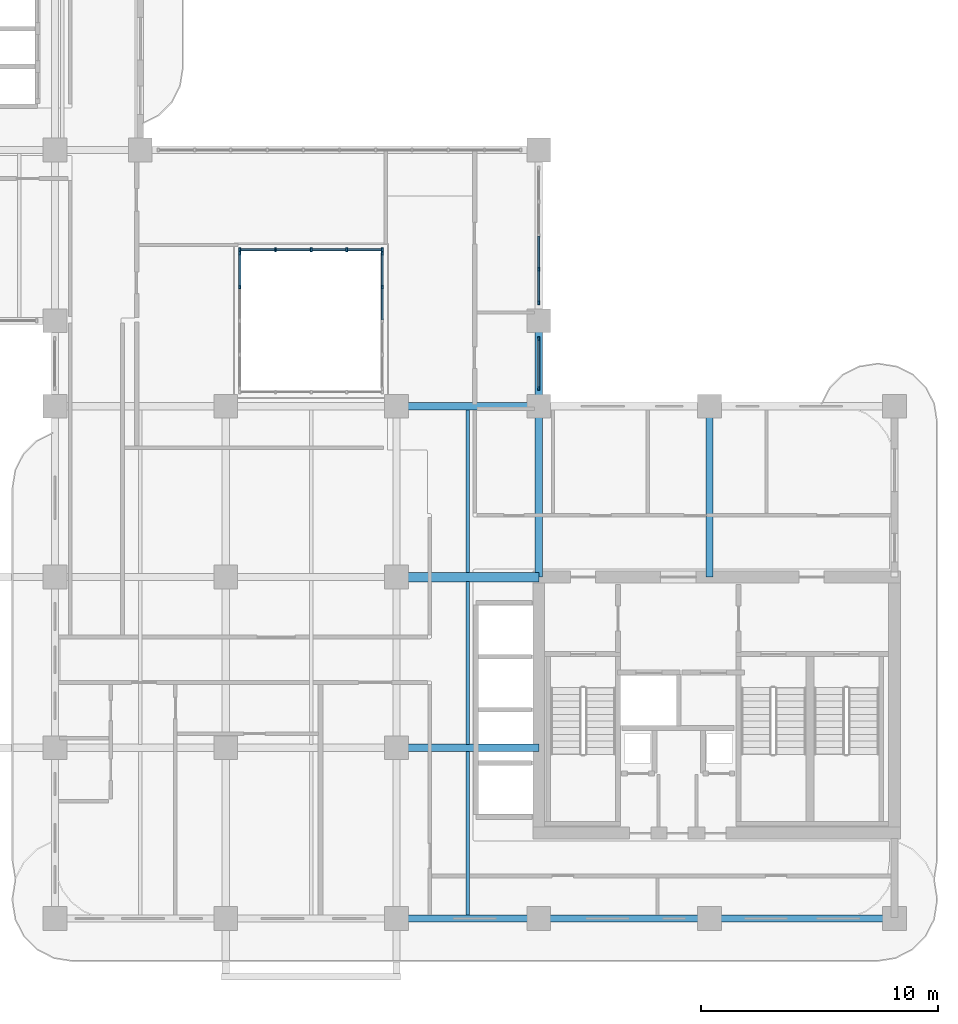
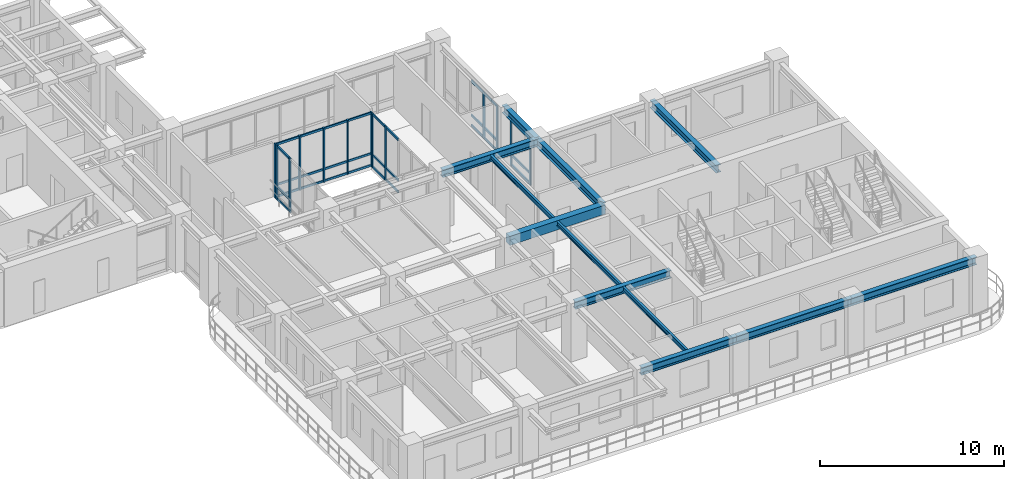
# One storey, part 3 of 19: 43 members, 12 beams, 5 elements without a shape of their own.
"""IFC4 building model written with IfcOpenShell, lengths in metres."""

from ifc_helpers import new_model, si_unit, derived_unit, direction, frame, origin, origin_2d, place, context, subcontext, project, spatial, rectangle, i_section, extrude, source, transform, mapped, material, layer, layer_set, material_profile, profile_set, type_object, type_shapes, element, aggregate, save


model = new_model("IFC4")

# Units and contexts
model_context = context("Model", 3, precision=1e-05, world=origin(), true_north=direction((0.0, 1.0)))
body_context = subcontext(model_context, "Body", "Model", "MODEL_VIEW")
ifc_project = project(units=[si_unit("LENGTHUNIT", "METRE"), si_unit("AREAUNIT", "SQUARE_METRE"), si_unit("VOLUMEUNIT", "CUBIC_METRE"), si_unit("PLANEANGLEUNIT", "RADIAN"), si_unit("MASSUNIT", "GRAM", prefix="KILO"), si_unit("THERMODYNAMICTEMPERATUREUNIT", "KELVIN"), si_unit("POWERUNIT", "WATT"), derived_unit("THERMALTRANSMITTANCEUNIT", [(si_unit("POWERUNIT", "WATT"), 1), (si_unit("AREAUNIT", "SQUARE_METRE"), -1), (si_unit("THERMODYNAMICTEMPERATUREUNIT", "KELVIN"), -1)])], contexts=[model_context])

# Site, building, storey
site_placement = place(None, origin())
site = spatial("IfcSite", under=ifc_project, at=site_placement, CompositionType="ELEMENT")
building_placement = place(site_placement, origin())
building = spatial("IfcBuilding", under=site, at=building_placement, Name="Zahravan Archway Hotel and Residences", CompositionType="ELEMENT")
storey_placement = place(building_placement, frame((0.0, 0.0, 158.0)))
storey = spatial("IfcBuildingStorey", under=building, at=storey_placement, Name="L39", CompositionType="ELEMENT", Elevation=158.0)

# Beams
ifc_material_1 = material(Name="Concrete C60/75", Category="concrete")
ifc_material_profile_1 = material_profile(ifc_material_1, rectangle(XDim=0.39990234375, YDim=0.60009765625, at=origin_2d()), Name="RC-LNT-400x600", Category="concrete")
ifc_profile_set_1 = profile_set([ifc_material_profile_1], Name="Concrete C60/75")
beam_type_1 = type_object("IfcBeamType", Name="LNT-RC-400x600", PredefinedType="LINTEL", material=ifc_profile_set_1)
shared_shape_1 = source(origin(), body_context, "Body", "SweptSolid", [
    extrude(rectangle(XDim=0.39990234375, YDim=0.60009765625, at=origin_2d()), origin(), (0.0, 0.0, 1.0), 6.0),
])
type_shapes(beam_type_1, [shared_shape_1])
beam_1_placement = place(storey_placement, frame((28.800048828125, 14.39990234375, 3.300048828125), z_axis=(1.0, 0.0, 0.0), x_axis=(0.0, 1.0, 0.0)))
element("IfcBeam", 1, at=beam_1_placement, inside=storey, type_object=beam_type_1, Name="L39 Core A Coupling Lintel Beam", PredefinedType="LINTEL", context=body_context, shape_type="MappedRepresentation", body=[
    mapped(shared_shape_1, transform((0.0, 0.0, 0.0), scale=1.0)),
])
ifc_material_2 = material(Name="Structural Steel S355JR", Category="steel")
ifc_material_profile_2 = material_profile(ifc_material_2, i_section(OverallWidth=0.300048828125, OverallDepth=0.5, WebThickness=0.014404296875, FlangeThickness=0.028076171875, FilletRadius=0.027099609375, at=origin_2d()), Name="HEB 500", Category="steel")
ifc_profile_set_2 = profile_set([ifc_material_profile_2], Name="Structural Steel S355JR")
beam_type_2 = type_object("IfcBeamType", Name="BM-PRI-HEB500", PredefinedType="BEAM", material=ifc_profile_set_2)
shared_shape_2 = source(origin(), body_context, "Body", "SweptSolid", [
    extrude(i_section(OverallWidth=0.300048828125, OverallDepth=0.5, WebThickness=0.014404296875, FlangeThickness=0.028076171875, FilletRadius=0.027099609375, at=origin_2d()), origin(), (0.0, 0.0, 1.0), 7.2001953125),
])
type_shapes(beam_type_2, [shared_shape_2])
for number, where, z_axis, x_axis, name in (
    (2, (34.800048828125, 14.39990234375, 3.35009765625), (0.0, 1.0, 0.0), (-1.0, 0.0, 0.0), "L39 Primary Girder NS-41"),
    (3, (42.0, 14.39990234375, 3.35009765625), (0.0, 1.0, 0.0), (-1.0, 0.0, 0.0), "L39 Primary Girder NS-44"),
):
    element("IfcBeam", number, at=place(storey_placement, frame(where, z_axis=z_axis, x_axis=x_axis)), inside=storey, type_object=beam_type_2, Name=name, PredefinedType="BEAM", context=body_context, shape_type="MappedRepresentation", body=[
        mapped(shared_shape_2, transform((0.0, 0.0, 0.0), scale=1.0)),
    ])
shared_shape_3 = source(origin(), body_context, "Body", "SweptSolid", [
    extrude(i_section(OverallWidth=0.300048828125, OverallDepth=0.5, WebThickness=0.014404296875, FlangeThickness=0.028076171875, FilletRadius=0.027099609375, at=origin_2d()), origin(), (0.0, 0.0, 1.0), 7.199951171875),
])
beam_2_placement = place(storey_placement, frame((34.800048828125, 0.0, 3.35009765625), z_axis=(1.0, 0.0, 0.0), x_axis=(0.0, 1.0, 0.0)))
element("IfcBeam", 4, at=beam_2_placement, inside=storey, type_object=beam_type_2, Name="L39 Primary Girder EW-04", PredefinedType="BEAM", context=body_context, shape_type="MappedRepresentation", body=[
    mapped(shared_shape_3, transform((0.0, 0.0, 0.0), scale=1.0)),
])
shared_shape_4 = source(origin(), body_context, "Body", "SweptSolid", [
    extrude(i_section(OverallWidth=0.300048828125, OverallDepth=0.5, WebThickness=0.014404296875, FlangeThickness=0.028076171875, FilletRadius=0.027099609375, at=origin_2d()), origin(), (0.0, 0.0, 1.0), 6.0),
])
for number, where, z_axis, x_axis, name in (
    (5, (28.800048828125, 0.0, 3.35009765625), (1.0, 0.0, 0.0), (0.0, 1.0, 0.0), "L39 Primary Girder EW-03"),
    (6, (28.800048828125, 7.199951171875, 3.35009765625), (1.0, 0.0, 0.0), (0.0, 1.0, 0.0), "L39 Primary Girder EW-08"),
    (7, (28.800048828125, 21.60009765625, 3.35009765625), (1.0, 0.0, 0.0), (0.0, 1.0, 0.0), "L39 Primary Girder EW-13"),
):
    element("IfcBeam", number, at=place(storey_placement, frame(where, z_axis=z_axis, x_axis=x_axis)), inside=storey, type_object=beam_type_2, Name=name, PredefinedType="BEAM", context=body_context, shape_type="MappedRepresentation", body=[
        mapped(shared_shape_4, transform((0.0, 0.0, 0.0), scale=1.0)),
    ])
shared_shape_5 = source(origin(), body_context, "Body", "SweptSolid", [
    extrude(i_section(OverallWidth=0.300048828125, OverallDepth=0.5, WebThickness=0.014404296875, FlangeThickness=0.028076171875, FilletRadius=0.027099609375, at=origin_2d()), origin(), (0.0, 0.0, 1.0), 7.800048828125),
])
beam_3_placement = place(storey_placement, frame((42.0, 0.0, 3.35009765625), z_axis=(1.0, 0.0, 0.0), x_axis=(0.0, 1.0, 0.0)))
element("IfcBeam", 8, at=beam_3_placement, inside=storey, type_object=beam_type_2, Name="L39 Primary Girder EW-05", PredefinedType="BEAM", context=body_context, shape_type="MappedRepresentation", body=[
    mapped(shared_shape_5, transform((0.0, 0.0, 0.0), scale=1.0)),
])
shared_shape_6 = source(origin(), body_context, "Body", "SweptSolid", [
    extrude(i_section(OverallWidth=0.300048828125, OverallDepth=0.5, WebThickness=0.014404296875, FlangeThickness=0.028076171875, FilletRadius=0.027099609375, at=origin_2d()), origin(), (0.0, 0.0, 1.0), 3.599853515625),
])
beam_4_placement = place(storey_placement, frame((34.800048828125, 21.60009765625, 3.35009765625), z_axis=(0.0, 1.0, 0.0), x_axis=(-1.0, 0.0, 0.0)))
element("IfcBeam", 9, at=beam_4_placement, inside=storey, type_object=beam_type_2, Name="L39 Primary Girder NS-42", PredefinedType="BEAM", context=body_context, shape_type="MappedRepresentation", body=[
    mapped(shared_shape_6, transform((0.0, 0.0, 0.0), scale=1.0)),
])
ifc_material_profile_3 = material_profile(ifc_material_2, i_section(OverallWidth=0.14990234375, OverallDepth=0.300048828125, WebThickness=0.007080078125, FlangeThickness=0.0107421875, FilletRadius=0.014892578125, at=origin_2d()), Name="IPE 300", Category="steel")
ifc_profile_set_3 = profile_set([ifc_material_profile_3], Name="Structural Steel S355JR")
beam_type_3 = type_object("IfcBeamType", Name="BM-JST-IPE300", PredefinedType="JOIST", material=ifc_profile_set_3)
shared_shape_7 = source(origin(), body_context, "Body", "SweptSolid", [
    extrude(i_section(OverallWidth=0.14990234375, OverallDepth=0.300048828125, WebThickness=0.007080078125, FlangeThickness=0.0107421875, FilletRadius=0.014892578125, at=origin_2d()), origin(), (0.0, 0.0, 1.0), 6.904052734375),
])
type_shapes(beam_type_3, [shared_shape_7])
beam_5_placement = place(storey_placement, frame((31.800048828125, 0.14794921875, 3.449951171875), z_axis=(0.0, 1.0, 0.0), x_axis=(-1.0, 0.0, 0.0)))
element("IfcBeam", 10, at=beam_5_placement, inside=storey, type_object=beam_type_3, Name="L39 Composite Floor Joist 03", PredefinedType="JOIST", context=body_context, shape_type="MappedRepresentation", body=[
    mapped(shared_shape_7, transform((0.0, 0.0, 0.0), scale=1.0)),
])
shared_shape_8 = source(origin(), body_context, "Body", "SweptSolid", [
    extrude(i_section(OverallWidth=0.14990234375, OverallDepth=0.300048828125, WebThickness=0.007080078125, FlangeThickness=0.0107421875, FilletRadius=0.014892578125, at=origin_2d()), origin(), (0.0, 0.0, 1.0), 6.85400390625),
])
for number, where, z_axis, x_axis, name in (
    (11, (31.800048828125, 7.347900390625, 3.449951171875), (0.0, 1.0, 0.0), (-1.0, 0.0, 0.0), "L39 Composite Floor Joist 06"),
    (12, (31.800048828125, 14.597900390625, 3.449951171875), (0.0, 1.0, 0.0), (-1.0, 0.0, 0.0), "L39 Composite Floor Joist 07"),
):
    element("IfcBeam", number, at=place(storey_placement, frame(where, z_axis=z_axis, x_axis=x_axis)), inside=storey, type_object=beam_type_3, Name=name, PredefinedType="JOIST", context=body_context, shape_type="MappedRepresentation", body=[
        mapped(shared_shape_8, transform((0.0, 0.0, 0.0), scale=1.0)),
    ])

# Curtain wall, members
ifc_material_3 = material(Name="Bronze-Anodized Unitised Aluminium & Low-E Glass", Category="aluminium")
ifc_layer = layer(ifc_material_3, 0.179931640625, Name="Bronze-Anodized Unitised Aluminium & Low-E Glass", Category="aluminium")
ifc_layer_set = layer_set([ifc_layer], Name="Bronze-Anodized Unitised Aluminium & Low-E Glass")
curtain_wall_type = type_object("IfcCurtainWallType", Name="CW-ATR-GLAZ", PredefinedType="NOTDEFINED", material=ifc_layer_set)
curtain_wall_1_placement = place(storey_placement, origin())
curtain_wall_1 = element("IfcCurtainWall", 13, at=curtain_wall_1_placement, inside=storey, type_object=curtain_wall_type, Name="L39 Curtain Wall CW-L39-HNG-E-2", PredefinedType="NOTDEFINED")
ifc_material_4 = material(Name="Bronze-Anodized Extruded Aluminium", Category="aluminium")
ifc_material_profile_4 = material_profile(ifc_material_4, rectangle(XDim=0.080078125, YDim=0.139892578125, at=origin_2d()), Name="TRN 80x140", Category="aluminium")
ifc_profile_set_4 = profile_set([ifc_material_profile_4], Name="Bronze-Anodized Extruded Aluminium")
member_type_1 = type_object("IfcMemberType", Name="CWM-TRN-140", PredefinedType="USERDEFINED", material=ifc_profile_set_4)
shared_shape_9 = source(origin(), body_context, "Body", "SweptSolid", [
    extrude(rectangle(XDim=0.080078125, YDim=0.139892578125, at=origin_2d()), origin(), (0.0, 0.0, 1.0), 1.340087890625),
])
member_1_placement = place(storey_placement, frame((34.800048828125, 26.0, 0.070068359375), z_axis=(0.0, 1.0, 0.0), x_axis=(-1.0, 0.0, 0.0)))
member_1 = element("IfcMember", 14, at=member_1_placement, type_object=member_type_1, Name="CW-L39-HNG-E-2 Transom 0-1", ObjectType="TRANSOM", PredefinedType="USERDEFINED", context=body_context, shape_type="MappedRepresentation", body=[
    mapped(shared_shape_9, transform((0.0, 0.0, 0.0), scale=1.0)),
])
member_2_placement = place(storey_placement, frame((34.800048828125, 26.0, 0.740478515625), z_axis=(0.0, 1.0, 0.0), x_axis=(-1.0, 0.0, 0.0)))
member_2 = element("IfcMember", 15, at=member_2_placement, type_object=member_type_1, Name="CW-L39-HNG-E-2 Transom 0-2", ObjectType="TRANSOM", PredefinedType="USERDEFINED", context=body_context, shape_type="MappedRepresentation", body=[
    mapped(shared_shape_9, transform((0.0, 0.0, 0.0), scale=1.0)),
])
member_3_placement = place(storey_placement, frame((34.800048828125, 26.0, 3.014892578125), z_axis=(0.0, 1.0, 0.0), x_axis=(-1.0, 0.0, 0.0)))
member_3 = element("IfcMember", 16, at=member_3_placement, type_object=member_type_1, Name="CW-L39-HNG-E-2 Transom 0-3", ObjectType="TRANSOM", PredefinedType="USERDEFINED", context=body_context, shape_type="MappedRepresentation", body=[
    mapped(shared_shape_9, transform((0.0, 0.0, 0.0), scale=1.0)),
])
member_4_placement = place(storey_placement, frame((34.800048828125, 27.419921875, 0.070068359375), z_axis=(0.0, 1.0, 0.0), x_axis=(-1.0, 0.0, 0.0)))
member_4 = element("IfcMember", 17, at=member_4_placement, type_object=member_type_1, Name="CW-L39-HNG-E-2 Transom 1-1", ObjectType="TRANSOM", PredefinedType="USERDEFINED", context=body_context, shape_type="MappedRepresentation", body=[
    mapped(shared_shape_9, transform((0.0, 0.0, 0.0), scale=1.0)),
])
member_5_placement = place(storey_placement, frame((34.800048828125, 27.419921875, 0.740478515625), z_axis=(0.0, 1.0, 0.0), x_axis=(-1.0, 0.0, 0.0)))
member_5 = element("IfcMember", 18, at=member_5_placement, type_object=member_type_1, Name="CW-L39-HNG-E-2 Transom 1-2", ObjectType="TRANSOM", PredefinedType="USERDEFINED", context=body_context, shape_type="MappedRepresentation", body=[
    mapped(shared_shape_9, transform((0.0, 0.0, 0.0), scale=1.0)),
])
member_6_placement = place(storey_placement, frame((34.800048828125, 27.419921875, 3.014892578125), z_axis=(0.0, 1.0, 0.0), x_axis=(-1.0, 0.0, 0.0)))
member_6 = element("IfcMember", 19, at=member_6_placement, type_object=member_type_1, Name="CW-L39-HNG-E-2 Transom 1-3", ObjectType="TRANSOM", PredefinedType="USERDEFINED", context=body_context, shape_type="MappedRepresentation", body=[
    mapped(shared_shape_9, transform((0.0, 0.0, 0.0), scale=1.0)),
])

curtain_wall_2_placement = place(storey_placement, origin())
curtain_wall_2 = element("IfcCurtainWall", 20, at=curtain_wall_2_placement, inside=storey, type_object=curtain_wall_type, Name="L39 Curtain Wall CW-L39-HNG-E-1", PredefinedType="NOTDEFINED")
shared_shape_10 = source(origin(), body_context, "Body", "SweptSolid", [
    extrude(rectangle(XDim=0.080078125, YDim=0.139892578125, at=origin_2d()), origin(), (0.0, 0.0, 1.0), 2.0),
])
member_7_placement = place(storey_placement, frame((34.800048828125, 22.39990234375, 0.070068359375), z_axis=(0.0, 1.0, 0.0), x_axis=(-1.0, 0.0, 0.0)))
member_7 = element("IfcMember", 21, at=member_7_placement, type_object=member_type_1, Name="CW-L39-HNG-E-1 Transom 0-1", ObjectType="TRANSOM", PredefinedType="USERDEFINED", context=body_context, shape_type="MappedRepresentation", body=[
    mapped(shared_shape_10, transform((0.0, 0.0, 0.0), scale=1.0)),
])
member_8_placement = place(storey_placement, frame((34.800048828125, 22.39990234375, 0.740478515625), z_axis=(0.0, 1.0, 0.0), x_axis=(-1.0, 0.0, 0.0)))
member_8 = element("IfcMember", 22, at=member_8_placement, type_object=member_type_1, Name="CW-L39-HNG-E-1 Transom 0-2", ObjectType="TRANSOM", PredefinedType="USERDEFINED", context=body_context, shape_type="MappedRepresentation", body=[
    mapped(shared_shape_10, transform((0.0, 0.0, 0.0), scale=1.0)),
])
member_9_placement = place(storey_placement, frame((34.800048828125, 22.39990234375, 3.014892578125), z_axis=(0.0, 1.0, 0.0), x_axis=(-1.0, 0.0, 0.0)))
member_9 = element("IfcMember", 23, at=member_9_placement, type_object=member_type_1, Name="CW-L39-HNG-E-1 Transom 0-3", ObjectType="TRANSOM", PredefinedType="USERDEFINED", context=body_context, shape_type="MappedRepresentation", body=[
    mapped(shared_shape_10, transform((0.0, 0.0, 0.0), scale=1.0)),
])

curtain_wall_3_placement = place(storey_placement, origin())
curtain_wall_3 = element("IfcCurtainWall", 24, at=curtain_wall_3_placement, inside=storey, type_object=curtain_wall_type, Name="L39 Curtain Wall CW-ATR-L39-N-1", PredefinedType="NOTDEFINED")
shared_shape_11 = source(origin(), body_context, "Body", "SweptSolid", [
    extrude(rectangle(XDim=0.080078125, YDim=0.139892578125, at=origin_2d()), origin(), (0.0, 0.0, 1.0), 1.419921875),
])
member_10_placement = place(storey_placement, frame((22.239990234375, 28.199951171875, 0.070068359375), z_axis=(1.0, 0.0, 0.0), x_axis=(0.0, 1.0, 0.0)))
member_10 = element("IfcMember", 25, at=member_10_placement, type_object=member_type_1, Name="CW-ATR-L39-N-1 Transom 0-1", ObjectType="TRANSOM", PredefinedType="USERDEFINED", context=body_context, shape_type="MappedRepresentation", body=[
    mapped(shared_shape_11, transform((0.0, 0.0, 0.0), scale=1.0)),
])
member_11_placement = place(storey_placement, frame((22.239990234375, 28.199951171875, 0.85009765625), z_axis=(1.0, 0.0, 0.0), x_axis=(0.0, 1.0, 0.0)))
member_11 = element("IfcMember", 26, at=member_11_placement, type_object=member_type_1, Name="CW-ATR-L39-N-1 Transom 0-2", ObjectType="TRANSOM", PredefinedType="USERDEFINED", context=body_context, shape_type="MappedRepresentation", body=[
    mapped(shared_shape_11, transform((0.0, 0.0, 0.0), scale=1.0)),
])
member_12_placement = place(storey_placement, frame((22.239990234375, 28.199951171875, 3.530029296875), z_axis=(1.0, 0.0, 0.0), x_axis=(0.0, 1.0, 0.0)))
member_12 = element("IfcMember", 27, at=member_12_placement, type_object=member_type_1, Name="CW-ATR-L39-N-1 Transom 0-3", ObjectType="TRANSOM", PredefinedType="USERDEFINED", context=body_context, shape_type="MappedRepresentation", body=[
    mapped(shared_shape_11, transform((0.0, 0.0, 0.0), scale=1.0)),
])
member_13_placement = place(storey_placement, frame((23.739990234375, 28.199951171875, 0.070068359375), z_axis=(1.0, 0.0, 0.0), x_axis=(0.0, 1.0, 0.0)))
member_13 = element("IfcMember", 28, at=member_13_placement, type_object=member_type_1, Name="CW-ATR-L39-N-1 Transom 1-1", ObjectType="TRANSOM", PredefinedType="USERDEFINED", context=body_context, shape_type="MappedRepresentation", body=[
    mapped(shared_shape_11, transform((0.0, 0.0, 0.0), scale=1.0)),
])
member_14_placement = place(storey_placement, frame((23.739990234375, 28.199951171875, 0.85009765625), z_axis=(1.0, 0.0, 0.0), x_axis=(0.0, 1.0, 0.0)))
member_14 = element("IfcMember", 29, at=member_14_placement, type_object=member_type_1, Name="CW-ATR-L39-N-1 Transom 1-2", ObjectType="TRANSOM", PredefinedType="USERDEFINED", context=body_context, shape_type="MappedRepresentation", body=[
    mapped(shared_shape_11, transform((0.0, 0.0, 0.0), scale=1.0)),
])
member_15_placement = place(storey_placement, frame((23.739990234375, 28.199951171875, 3.530029296875), z_axis=(1.0, 0.0, 0.0), x_axis=(0.0, 1.0, 0.0)))
member_15 = element("IfcMember", 30, at=member_15_placement, type_object=member_type_1, Name="CW-ATR-L39-N-1 Transom 1-3", ObjectType="TRANSOM", PredefinedType="USERDEFINED", context=body_context, shape_type="MappedRepresentation", body=[
    mapped(shared_shape_11, transform((0.0, 0.0, 0.0), scale=1.0)),
])
member_16_placement = place(storey_placement, frame((25.239990234375, 28.199951171875, 0.070068359375), z_axis=(1.0, 0.0, 0.0), x_axis=(0.0, 1.0, 0.0)))
member_16 = element("IfcMember", 31, at=member_16_placement, type_object=member_type_1, Name="CW-ATR-L39-N-1 Transom 2-1", ObjectType="TRANSOM", PredefinedType="USERDEFINED", context=body_context, shape_type="MappedRepresentation", body=[
    mapped(shared_shape_11, transform((0.0, 0.0, 0.0), scale=1.0)),
])
member_17_placement = place(storey_placement, frame((25.239990234375, 28.199951171875, 0.85009765625), z_axis=(1.0, 0.0, 0.0), x_axis=(0.0, 1.0, 0.0)))
member_17 = element("IfcMember", 32, at=member_17_placement, type_object=member_type_1, Name="CW-ATR-L39-N-1 Transom 2-2", ObjectType="TRANSOM", PredefinedType="USERDEFINED", context=body_context, shape_type="MappedRepresentation", body=[
    mapped(shared_shape_11, transform((0.0, 0.0, 0.0), scale=1.0)),
])
member_18_placement = place(storey_placement, frame((25.239990234375, 28.199951171875, 3.530029296875), z_axis=(1.0, 0.0, 0.0), x_axis=(0.0, 1.0, 0.0)))
member_18 = element("IfcMember", 33, at=member_18_placement, type_object=member_type_1, Name="CW-ATR-L39-N-1 Transom 2-3", ObjectType="TRANSOM", PredefinedType="USERDEFINED", context=body_context, shape_type="MappedRepresentation", body=[
    mapped(shared_shape_11, transform((0.0, 0.0, 0.0), scale=1.0)),
])
member_19_placement = place(storey_placement, frame((26.739990234375, 28.199951171875, 0.070068359375), z_axis=(1.0, 0.0, 0.0), x_axis=(0.0, 1.0, 0.0)))
member_19 = element("IfcMember", 34, at=member_19_placement, type_object=member_type_1, Name="CW-ATR-L39-N-1 Transom 3-1", ObjectType="TRANSOM", PredefinedType="USERDEFINED", context=body_context, shape_type="MappedRepresentation", body=[
    mapped(shared_shape_11, transform((0.0, 0.0, 0.0), scale=1.0)),
])
member_20_placement = place(storey_placement, frame((26.739990234375, 28.199951171875, 0.85009765625), z_axis=(1.0, 0.0, 0.0), x_axis=(0.0, 1.0, 0.0)))
member_20 = element("IfcMember", 35, at=member_20_placement, type_object=member_type_1, Name="CW-ATR-L39-N-1 Transom 3-2", ObjectType="TRANSOM", PredefinedType="USERDEFINED", context=body_context, shape_type="MappedRepresentation", body=[
    mapped(shared_shape_11, transform((0.0, 0.0, 0.0), scale=1.0)),
])
member_21_placement = place(storey_placement, frame((26.739990234375, 28.199951171875, 3.530029296875), z_axis=(1.0, 0.0, 0.0), x_axis=(0.0, 1.0, 0.0)))
member_21 = element("IfcMember", 36, at=member_21_placement, type_object=member_type_1, Name="CW-ATR-L39-N-1 Transom 3-3", ObjectType="TRANSOM", PredefinedType="USERDEFINED", context=body_context, shape_type="MappedRepresentation", body=[
    mapped(shared_shape_11, transform((0.0, 0.0, 0.0), scale=1.0)),
])

curtain_wall_4_placement = place(storey_placement, origin())
curtain_wall_4 = element("IfcCurtainWall", 37, at=curtain_wall_4_placement, inside=storey, type_object=curtain_wall_type, Name="L39 Curtain Wall CW-ATR-L39-W-1", PredefinedType="NOTDEFINED")
shared_shape_12 = source(origin(), body_context, "Body", "SweptSolid", [
    extrude(rectangle(XDim=0.080078125, YDim=0.139892578125, at=origin_2d()), origin(), (0.0, 0.0, 1.0), 1.344970703125),
])
member_22_placement = place(storey_placement, frame((22.199951171875, 26.6650390625, 0.070068359375), z_axis=(0.0, 1.0, 0.0), x_axis=(-1.0, 0.0, 0.0)))
member_22 = element("IfcMember", 38, at=member_22_placement, type_object=member_type_1, Name="CW-ATR-L39-W-1 Transom 3-1", ObjectType="TRANSOM", PredefinedType="USERDEFINED", context=body_context, shape_type="MappedRepresentation", body=[
    mapped(shared_shape_12, transform((0.0, 0.0, 0.0), scale=1.0)),
])
member_23_placement = place(storey_placement, frame((22.199951171875, 26.6650390625, 0.85009765625), z_axis=(0.0, 1.0, 0.0), x_axis=(-1.0, 0.0, 0.0)))
member_23 = element("IfcMember", 39, at=member_23_placement, type_object=member_type_1, Name="CW-ATR-L39-W-1 Transom 3-2", ObjectType="TRANSOM", PredefinedType="USERDEFINED", context=body_context, shape_type="MappedRepresentation", body=[
    mapped(shared_shape_12, transform((0.0, 0.0, 0.0), scale=1.0)),
])
member_24_placement = place(storey_placement, frame((22.199951171875, 26.6650390625, 3.530029296875), z_axis=(0.0, 1.0, 0.0), x_axis=(-1.0, 0.0, 0.0)))
member_24 = element("IfcMember", 40, at=member_24_placement, type_object=member_type_1, Name="CW-ATR-L39-W-1 Transom 3-3", ObjectType="TRANSOM", PredefinedType="USERDEFINED", context=body_context, shape_type="MappedRepresentation", body=[
    mapped(shared_shape_12, transform((0.0, 0.0, 0.0), scale=1.0)),
])

curtain_wall_5_placement = place(storey_placement, origin())
curtain_wall_5 = element("IfcCurtainWall", 41, at=curtain_wall_5_placement, inside=storey, type_object=curtain_wall_type, Name="L39 Curtain Wall CW-ATR-L39-E-1", PredefinedType="NOTDEFINED")
member_25_placement = place(storey_placement, frame((28.199951171875, 25.239990234375, 0.070068359375), z_axis=(0.0, 1.0, 0.0), x_axis=(-1.0, 0.0, 0.0)))
member_25 = element("IfcMember", 42, at=member_25_placement, type_object=member_type_1, Name="CW-ATR-L39-E-1 Transom 2-1", ObjectType="TRANSOM", PredefinedType="USERDEFINED", context=body_context, shape_type="MappedRepresentation", body=[
    mapped(shared_shape_12, transform((0.0, 0.0, 0.0), scale=1.0)),
])
member_26_placement = place(storey_placement, frame((28.199951171875, 25.239990234375, 0.85009765625), z_axis=(0.0, 1.0, 0.0), x_axis=(-1.0, 0.0, 0.0)))
member_26 = element("IfcMember", 43, at=member_26_placement, type_object=member_type_1, Name="CW-ATR-L39-E-1 Transom 2-2", ObjectType="TRANSOM", PredefinedType="USERDEFINED", context=body_context, shape_type="MappedRepresentation", body=[
    mapped(shared_shape_12, transform((0.0, 0.0, 0.0), scale=1.0)),
])
member_27_placement = place(storey_placement, frame((28.199951171875, 25.239990234375, 3.530029296875), z_axis=(0.0, 1.0, 0.0), x_axis=(-1.0, 0.0, 0.0)))
member_27 = element("IfcMember", 44, at=member_27_placement, type_object=member_type_1, Name="CW-ATR-L39-E-1 Transom 2-3", ObjectType="TRANSOM", PredefinedType="USERDEFINED", context=body_context, shape_type="MappedRepresentation", body=[
    mapped(shared_shape_12, transform((0.0, 0.0, 0.0), scale=1.0)),
])
member_28_placement = place(storey_placement, frame((28.199951171875, 26.6650390625, 0.070068359375), z_axis=(0.0, 1.0, 0.0), x_axis=(-1.0, 0.0, 0.0)))
member_28 = element("IfcMember", 45, at=member_28_placement, type_object=member_type_1, Name="CW-ATR-L39-E-1 Transom 3-1", ObjectType="TRANSOM", PredefinedType="USERDEFINED", context=body_context, shape_type="MappedRepresentation", body=[
    mapped(shared_shape_12, transform((0.0, 0.0, 0.0), scale=1.0)),
])
member_29_placement = place(storey_placement, frame((28.199951171875, 26.6650390625, 0.85009765625), z_axis=(0.0, 1.0, 0.0), x_axis=(-1.0, 0.0, 0.0)))
member_29 = element("IfcMember", 46, at=member_29_placement, type_object=member_type_1, Name="CW-ATR-L39-E-1 Transom 3-2", ObjectType="TRANSOM", PredefinedType="USERDEFINED", context=body_context, shape_type="MappedRepresentation", body=[
    mapped(shared_shape_12, transform((0.0, 0.0, 0.0), scale=1.0)),
])
member_30_placement = place(storey_placement, frame((28.199951171875, 26.6650390625, 3.530029296875), z_axis=(0.0, 1.0, 0.0), x_axis=(-1.0, 0.0, 0.0)))
member_30 = element("IfcMember", 47, at=member_30_placement, type_object=member_type_1, Name="CW-ATR-L39-E-1 Transom 3-3", ObjectType="TRANSOM", PredefinedType="USERDEFINED", context=body_context, shape_type="MappedRepresentation", body=[
    mapped(shared_shape_12, transform((0.0, 0.0, 0.0), scale=1.0)),
])

# Member
ifc_material_profile_5 = material_profile(ifc_material_4, rectangle(XDim=0.080078125, YDim=0.159912109375, at=origin_2d()), Name="MUL 80x160", Category="aluminium")
ifc_profile_set_5 = profile_set([ifc_material_profile_5], Name="Bronze-Anodized Extruded Aluminium")
member_type_2 = type_object("IfcMemberType", Name="CWM-MUL-160", PredefinedType="MULLION", material=ifc_profile_set_5)
shared_shape_13 = source(origin(), body_context, "Body", "SweptSolid", [
    extrude(rectangle(XDim=0.080078125, YDim=0.159912109375, at=origin_2d()), origin(), (0.0, 0.0, 1.0), 3.0849609375),
])
member_31_placement = place(storey_placement, frame((34.800048828125, 22.360107421875, 0.0), z_axis=(0.0, 0.0, 1.0), x_axis=(1.0, 0.0, 0.0)))
member_31 = element("IfcMember", 48, at=member_31_placement, type_object=member_type_2, Name="CW-L39-HNG-E-1 Mullion 0", PredefinedType="MULLION", context=body_context, shape_type="MappedRepresentation", body=[
    mapped(shared_shape_13, transform((0.0, 0.0, 0.0), scale=1.0)),
])

member_32_placement = place(storey_placement, frame((34.800048828125, 24.43994140625, 0.0), z_axis=(0.0, 0.0, 1.0), x_axis=(1.0, 0.0, 0.0)))
member_32 = element("IfcMember", 49, at=member_32_placement, type_object=member_type_2, Name="CW-L39-HNG-E-1 Mullion 1", PredefinedType="MULLION", context=body_context, shape_type="MappedRepresentation", body=[
    mapped(shared_shape_13, transform((0.0, 0.0, 0.0), scale=1.0)),
])

aggregate(curtain_wall_2, [member_31, member_32, member_7, member_8, member_9])

member_33_placement = place(storey_placement, frame((34.800048828125, 25.9599609375, 0.0), z_axis=(0.0, 0.0, 1.0), x_axis=(1.0, 0.0, 0.0)))
member_33 = element("IfcMember", 50, at=member_33_placement, type_object=member_type_2, Name="CW-L39-HNG-E-2 Mullion 0", PredefinedType="MULLION", context=body_context, shape_type="MappedRepresentation", body=[
    mapped(shared_shape_13, transform((0.0, 0.0, 0.0), scale=1.0)),
])

member_34_placement = place(storey_placement, frame((34.800048828125, 27.3798828125, 0.0), z_axis=(0.0, 0.0, 1.0), x_axis=(1.0, 0.0, 0.0)))
member_34 = element("IfcMember", 51, at=member_34_placement, type_object=member_type_2, Name="CW-L39-HNG-E-2 Mullion 1", PredefinedType="MULLION", context=body_context, shape_type="MappedRepresentation", body=[
    mapped(shared_shape_13, transform((0.0, 0.0, 0.0), scale=1.0)),
])

aggregate(curtain_wall_1, [member_33, member_34, member_1, member_2, member_3, member_4, member_5, member_6])

shared_shape_14 = source(origin(), body_context, "Body", "SweptSolid", [
    extrude(rectangle(XDim=0.080078125, YDim=0.159912109375, at=origin_2d()), origin(), (0.0, 0.0, 1.0), 3.60009765625),
])
member_35_placement = place(storey_placement, frame((22.199951171875, 28.199951171875, 0.0), z_axis=(0.0, 0.0, 1.0), x_axis=(1.0, 0.0, 0.0)))
member_35 = element("IfcMember", 52, at=member_35_placement, type_object=member_type_2, Name="CW-ATR-L39-N-1 Mullion 0", PredefinedType="MULLION", context=body_context, shape_type="MappedRepresentation", body=[
    mapped(shared_shape_14, transform((0.0, 0.0, 0.0), scale=1.0)),
])

member_36_placement = place(storey_placement, frame((23.699951171875, 28.199951171875, 0.0), z_axis=(0.0, 0.0, 1.0), x_axis=(1.0, 0.0, 0.0)))
member_36 = element("IfcMember", 53, at=member_36_placement, type_object=member_type_2, Name="CW-ATR-L39-N-1 Mullion 1", PredefinedType="MULLION", context=body_context, shape_type="MappedRepresentation", body=[
    mapped(shared_shape_14, transform((0.0, 0.0, 0.0), scale=1.0)),
])

member_37_placement = place(storey_placement, frame((25.199951171875, 28.199951171875, 0.0), z_axis=(0.0, 0.0, 1.0), x_axis=(1.0, 0.0, 0.0)))
member_37 = element("IfcMember", 54, at=member_37_placement, type_object=member_type_2, Name="CW-ATR-L39-N-1 Mullion 2", PredefinedType="MULLION", context=body_context, shape_type="MappedRepresentation", body=[
    mapped(shared_shape_14, transform((0.0, 0.0, 0.0), scale=1.0)),
])

member_38_placement = place(storey_placement, frame((26.699951171875, 28.199951171875, 0.0), z_axis=(0.0, 0.0, 1.0), x_axis=(1.0, 0.0, 0.0)))
member_38 = element("IfcMember", 55, at=member_38_placement, type_object=member_type_2, Name="CW-ATR-L39-N-1 Mullion 3", PredefinedType="MULLION", context=body_context, shape_type="MappedRepresentation", body=[
    mapped(shared_shape_14, transform((0.0, 0.0, 0.0), scale=1.0)),
])

member_39_placement = place(storey_placement, frame((28.199951171875, 28.199951171875, 0.0), z_axis=(0.0, 0.0, 1.0), x_axis=(1.0, 0.0, 0.0)))
member_39 = element("IfcMember", 56, at=member_39_placement, type_object=member_type_2, Name="CW-ATR-L39-N-1 Mullion 4", PredefinedType="MULLION", context=body_context, shape_type="MappedRepresentation", body=[
    mapped(shared_shape_14, transform((0.0, 0.0, 0.0), scale=1.0)),
])

aggregate(curtain_wall_3, [member_35, member_36, member_37, member_38, member_39, member_10, member_11, member_12, member_13, member_14, member_15, member_16, member_17, member_18, member_19, member_20, member_21])

member_40_placement = place(storey_placement, frame((22.199951171875, 26.625, 0.0), z_axis=(0.0, 0.0, 1.0), x_axis=(1.0, 0.0, 0.0)))
member_40 = element("IfcMember", 57, at=member_40_placement, type_object=member_type_2, Name="CW-ATR-L39-W-1 Mullion 3", PredefinedType="MULLION", context=body_context, shape_type="MappedRepresentation", body=[
    mapped(shared_shape_14, transform((0.0, 0.0, 0.0), scale=1.0)),
])

member_41_placement = place(storey_placement, frame((22.199951171875, 28.050048828125, 0.0), z_axis=(0.0, 0.0, 1.0), x_axis=(1.0, 0.0, 0.0)))
member_41 = element("IfcMember", 58, at=member_41_placement, type_object=member_type_2, Name="CW-ATR-L39-W-1 Mullion 4", PredefinedType="MULLION", context=body_context, shape_type="MappedRepresentation", body=[
    mapped(shared_shape_14, transform((0.0, 0.0, 0.0), scale=1.0)),
])

aggregate(curtain_wall_4, [member_40, member_41, member_22, member_23, member_24])

member_42_placement = place(storey_placement, frame((28.199951171875, 26.625, 0.0), z_axis=(0.0, 0.0, 1.0), x_axis=(1.0, 0.0, 0.0)))
member_42 = element("IfcMember", 59, at=member_42_placement, type_object=member_type_2, Name="CW-ATR-L39-E-1 Mullion 3", PredefinedType="MULLION", context=body_context, shape_type="MappedRepresentation", body=[
    mapped(shared_shape_14, transform((0.0, 0.0, 0.0), scale=1.0)),
])

member_43_placement = place(storey_placement, frame((28.199951171875, 28.050048828125, 0.0), z_axis=(0.0, 0.0, 1.0), x_axis=(1.0, 0.0, 0.0)))
member_43 = element("IfcMember", 60, at=member_43_placement, type_object=member_type_2, Name="CW-ATR-L39-E-1 Mullion 4", PredefinedType="MULLION", context=body_context, shape_type="MappedRepresentation", body=[
    mapped(shared_shape_14, transform((0.0, 0.0, 0.0), scale=1.0)),
])

aggregate(curtain_wall_5, [member_42, member_43, member_25, member_26, member_27, member_28, member_29, member_30])

save(model, "model.ifc")
